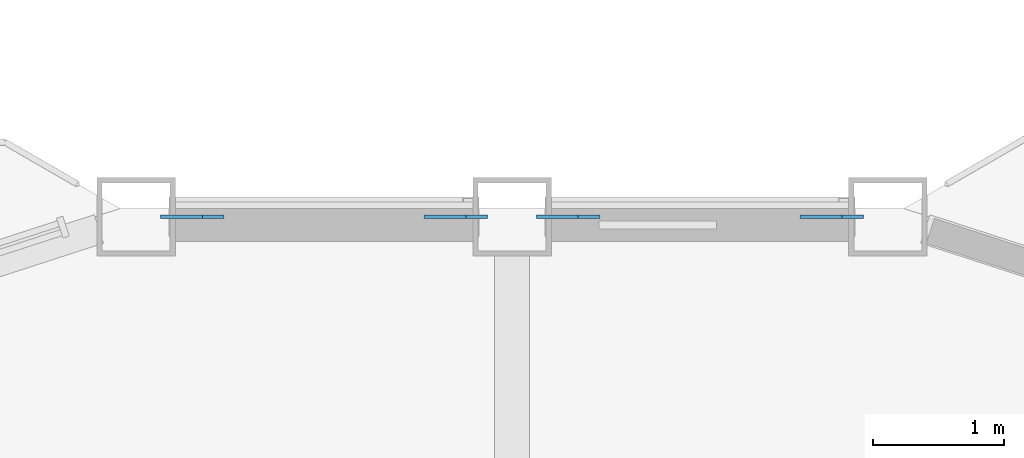
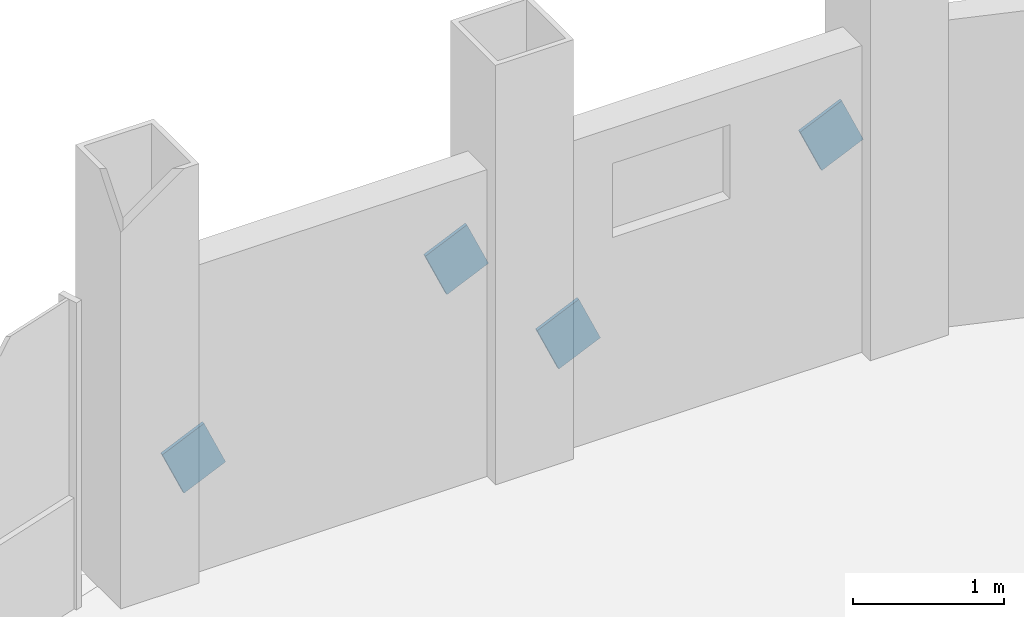
# One storey, part 21 of 26: 4 discrete accessories.
"""IFC4 building model written with IfcOpenShell, lengths in metres."""

from ifc_helpers import new_model, si_unit, direction, frame, origin, origin_2d, place, context, subcontext, project, spatial, rectangle, extrude, material, material_profile, profile_set, type_object, element, save


model = new_model("IFC4")

# Units and contexts
model_context = context("Model", 3, precision=1e-05, world=origin(), true_north=direction((0.0, 1.0)))
body_context = subcontext(model_context, "Body", "Model", "MODEL_VIEW")
ifc_project = project(units=[si_unit("LENGTHUNIT", "METRE"), si_unit("AREAUNIT", "SQUARE_METRE"), si_unit("VOLUMEUNIT", "CUBIC_METRE"), si_unit("PLANEANGLEUNIT", "RADIAN"), si_unit("MASSUNIT", "GRAM", prefix="KILO")], contexts=[model_context])

# Site, building, storey
site_placement = place(None, origin())
site = spatial("IfcSite", under=ifc_project, at=site_placement, CompositionType="ELEMENT")
building_placement = place(site_placement, origin())
building = spatial("IfcBuilding", under=site, at=building_placement, Name="Cormorant Prow Tower", CompositionType="ELEMENT")
storey_placement = place(building_placement, frame((0.0, 0.0, 342.60009765625)))
storey = spatial("IfcBuildingStorey", under=building, at=storey_placement, Name="L77", CompositionType="ELEMENT", Elevation=342.60009765625)

# Discrete accessories
ifc_material = material(Name="Structural steel ASTM A500 Gr C", Category="steel")
ifc_material_profile = material_profile(ifc_material, rectangle(XDim=0.02490234375, YDim=0.405029296875, at=origin_2d()), Name="Gusset plate 25x405")
ifc_profile_set = profile_set([ifc_material_profile], Name="Structural steel ASTM A500 Gr C")
discrete_accessory_type = type_object("IfcDiscreteAccessoryType", Name="Gusset plate 25x405", PredefinedType="BRACKET", material=ifc_profile_set)
discrete_accessory_1_placement = place(storey_placement, frame((0.588623046875, 31.676025390625, 0.86376953125), z_axis=(-0.912338666822, 0.0, -0.409436389468), x_axis=(0.0, -1.0, 0.0)))
element("IfcDiscreteAccessory", 1, at=discrete_accessory_1_placement, inside=storey, type_object=discrete_accessory_type, Name="Gusset plate GP3 L77.N00.g0", PredefinedType="BRACKET", context=body_context, shape_type="SweptSolid", body=[
    extrude(rectangle(XDim=0.02490234375, YDim=0.405029296875, at=origin_2d()), origin(), (0.0, 0.0, 1.0), 0.35009765625),
])
discrete_accessory_2_placement = place(storey_placement, frame((2.28515625, 31.676025390625, 1.6240234375), z_axis=(0.912599106234, 0.0, 0.408855562884), x_axis=(0.0, 1.0, 0.0)))
element("IfcDiscreteAccessory", 2, at=discrete_accessory_2_placement, inside=storey, type_object=discrete_accessory_type, Name="Gusset plate GP3 L77.N00.g1", PredefinedType="BRACKET", context=body_context, shape_type="SweptSolid", body=[
    extrude(rectangle(XDim=0.02490234375, YDim=0.405029296875, at=origin_2d()), origin(), (0.0, 0.0, 1.0), 0.349853515625),
])
discrete_accessory_3_placement = place(storey_placement, frame((-2.28515625, 31.676025390625, 0.86376953125), z_axis=(-0.912338666822, 0.0, -0.409436389468), x_axis=(0.0, -1.0, 0.0)))
element("IfcDiscreteAccessory", 3, at=discrete_accessory_3_placement, inside=storey, type_object=discrete_accessory_type, Name="Gusset plate GP3 L77.N01.g0", PredefinedType="BRACKET", context=body_context, shape_type="SweptSolid", body=[
    extrude(rectangle(XDim=0.02490234375, YDim=0.405029296875, at=origin_2d()), origin(), (0.0, 0.0, 1.0), 0.35009765625),
])
discrete_accessory_4_placement = place(storey_placement, frame((-0.588623046875, 31.676025390625, 1.6240234375), z_axis=(0.912599106234, 0.0, 0.408855562884), x_axis=(0.0, 1.0, 0.0)))
element("IfcDiscreteAccessory", 4, at=discrete_accessory_4_placement, inside=storey, type_object=discrete_accessory_type, Name="Gusset plate GP3 L77.N01.g1", PredefinedType="BRACKET", context=body_context, shape_type="SweptSolid", body=[
    extrude(rectangle(XDim=0.02490234375, YDim=0.405029296875, at=origin_2d()), origin(), (0.0, 0.0, 1.0), 0.349853515625),
])

save(model, "model.ifc")
